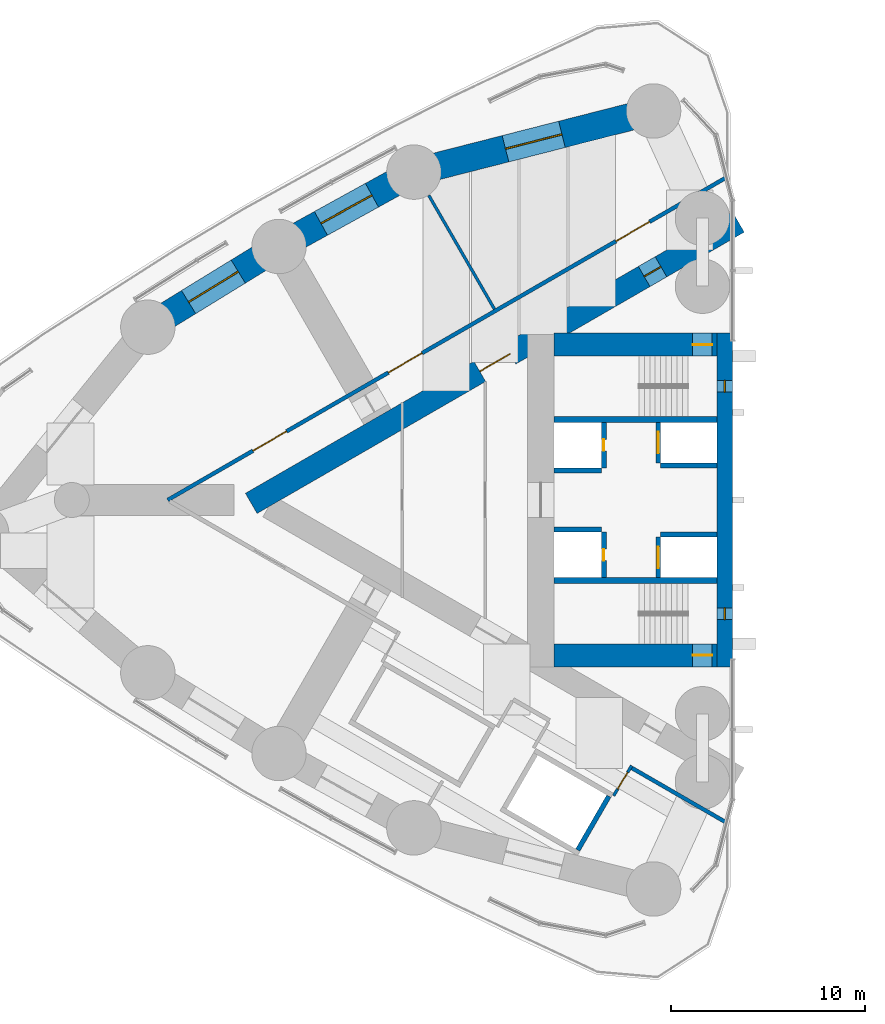
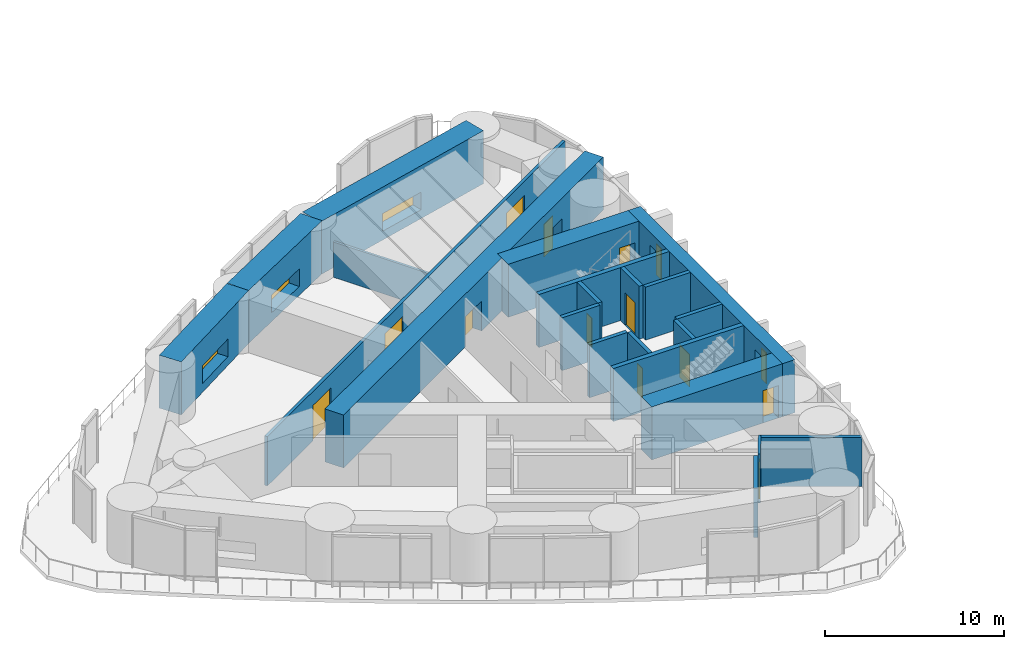
# One storey, part 12 of 17: 22 walls, 12 doors, 5 windows, 17 openings.
"""IFC4 building model written with IfcOpenShell, lengths in metres."""

from ifc_helpers import new_model, si_unit, direction, frame, frame_2d, origin, place, context, subcontext, project, spatial, rectangle, extrude, material, layer, layer_set, type_object, element, fill, save


model = new_model("IFC4")

# Units and contexts
model_context = context("Model", 3, precision=1e-05, world=origin(), true_north=direction((0.0, 1.0)))
body_context = subcontext(model_context, "Body", "Model", "MODEL_VIEW")
ifc_project = project(units=[si_unit("LENGTHUNIT", "METRE"), si_unit("AREAUNIT", "SQUARE_METRE"), si_unit("VOLUMEUNIT", "CUBIC_METRE"), si_unit("PLANEANGLEUNIT", "RADIAN"), si_unit("MASSUNIT", "GRAM", prefix="KILO")], contexts=[model_context])

# Site, building, storey
site_placement = place(None, origin())
site = spatial("IfcSite", under=ifc_project, at=site_placement, CompositionType="ELEMENT")
building_placement = place(site_placement, origin())
building = spatial("IfcBuilding", under=site, at=building_placement, Name="Lancet Gate Hotel", CompositionType="ELEMENT")
storey_placement = place(building_placement, frame((0.0, 0.0, 152.699951171875)))
storey = spatial("IfcBuildingStorey", under=building, at=storey_placement, Name="L40", CompositionType="ELEMENT", Elevation=152.699951171875)

# Wall, opening, window
ifc_material_1 = material(Name="Concrete C80/95", Category="concrete")
ifc_layer_1 = layer(ifc_material_1, 1.39990234375)
ifc_layer_set_1 = layer_set([ifc_layer_1], Name="Belt wall 1400")
wall_type_1 = type_object("IfcWallType", Name="Belt wall 1400", PredefinedType="SHEAR", material=ifc_layer_set_1)
wall_1_placement = place(storey_placement, frame((-31.5654296875, 20.015869140625, 0.0), z_axis=(0.0, 0.0, 1.0), x_axis=(-0.969008414312, -0.247027717052, 0.0)))
wall_1 = element("IfcWall", 1, at=wall_1_placement, inside=storey, type_object=wall_type_1, Name="T1 belt wall CS-OS1 L40", PredefinedType="SHEAR", context=body_context, shape_type="SweptSolid", body=[
    extrude(rectangle(XDim=12.7294921875, YDim=1.39990234375, at=frame_2d((6.36474609375, 0.0))), origin(), (0.0, 0.0, 1.0), 3.60009765625),
])
opening_1_placement = place(wall_1_placement, frame((4.86474609375, 0.0, 0.60009765625)))
opening_1 = element("IfcOpeningElement", 2, at=opening_1_placement, cuts=wall_1, Name="Opening LV1", PredefinedType="OPENING", context=body_context, shape_type="SweptSolid", body=[
    extrude(rectangle(XDim=3.0, YDim=1.199951171875, at=frame_2d((1.5, 0.60009765625))), frame((0.0, 0.7099609375, 0.0), z_axis=(0.0, -1.0, 0.0), x_axis=(1.0, 0.0, 0.0)), (0.0, 0.0, 1.0), 1.419921875),
])
ifc_material_2 = material(Name="Aluminium weather louvre", Category="aluminium")
window_type_1 = type_object("IfcWindowType", Name="Refuge louvre 3000x1200", PartitioningType="SINGLE_PANEL", PredefinedType="WINDOW", material=ifc_material_2)
window_1_placement = place(opening_1_placement, origin())
window_1 = element("IfcWindow", 3, at=window_1_placement, inside=storey, type_object=window_type_1, Name="T1 belt louvre CS-OS1 L40", OverallHeight=1.199951171875, OverallWidth=3.0, PartitioningType="SINGLE_PANEL", PredefinedType="WINDOW", context=body_context, shape_type="SweptSolid", body=[
    extrude(rectangle(XDim=3.0, YDim=1.199951171875, at=frame_2d((1.5, 0.60009765625))), frame((0.0, 0.030029296875, 0.0), z_axis=(0.0, -1.0, 0.0), x_axis=(1.0, 0.0, 0.0)), (0.0, 0.0, 1.0), 0.06005859375),
])
fill(opening_1, window_1)

wall_2_placement = place(storey_placement, frame((-43.900390625, 16.871337890625, 0.0), z_axis=(0.0, 0.0, 1.0), x_axis=(-0.875577684027, -0.483077342911, 0.0)))
wall_2 = element("IfcWall", 4, at=wall_2_placement, inside=storey, type_object=wall_type_1, Name="T1 belt wall OS1-OS2 L40", PredefinedType="SHEAR", context=body_context, shape_type="SweptSolid", body=[
    extrude(rectangle(XDim=7.924560546875, YDim=1.39990234375, at=frame_2d((3.96240234375, 0.0))), origin(), (0.0, 0.0, 1.0), 3.60009765625),
])
opening_2_placement = place(wall_2_placement, frame((2.462158203125, 0.0, 0.60009765625)))
opening_2 = element("IfcOpeningElement", 5, at=opening_2_placement, cuts=wall_2, Name="Opening LV1", PredefinedType="OPENING", context=body_context, shape_type="SweptSolid", body=[
    extrude(rectangle(XDim=3.0, YDim=1.199951171875, at=frame_2d((1.5, 0.60009765625))), frame((0.0, 0.7099609375, 0.0), z_axis=(0.0, -1.0, 0.0), x_axis=(1.0, 0.0, 0.0)), (0.0, 0.0, 1.0), 1.419921875),
])
window_2_placement = place(opening_2_placement, origin())
window_2 = element("IfcWindow", 6, at=window_2_placement, inside=storey, type_object=window_type_1, Name="T1 belt louvre OS1-OS2 L40", OverallHeight=1.199951171875, OverallWidth=3.0, PartitioningType="SINGLE_PANEL", PredefinedType="WINDOW", context=body_context, shape_type="SweptSolid", body=[
    extrude(rectangle(XDim=3.0, YDim=1.199951171875, at=frame_2d((1.5, 0.60009765625))), frame((0.0, 0.030029296875, 0.0), z_axis=(0.0, -1.0, 0.0), x_axis=(1.0, 0.0, 0.0)), (0.0, 0.0, 1.0), 0.06005859375),
])
fill(opening_2, window_2)

wall_3_placement = place(storey_placement, frame((-50.8388671875, 13.043212890625, 0.0), z_axis=(0.0, 0.0, 1.0), x_axis=(-0.851892008043, -0.523717487423, 0.0)))
wall_3 = element("IfcWall", 7, at=wall_3_placement, inside=storey, type_object=wall_type_1, Name="T1 belt wall OS2-OS3 L40", PredefinedType="SHEAR", context=body_context, shape_type="SweptSolid", body=[
    extrude(rectangle(XDim=7.92431640625, YDim=1.39990234375, at=frame_2d((3.962158203125, 0.0))), origin(), (0.0, 0.0, 1.0), 3.60009765625),
])
opening_3_placement = place(wall_3_placement, frame((2.462158203125, 0.0, 0.60009765625)))
opening_3 = element("IfcOpeningElement", 8, at=opening_3_placement, cuts=wall_3, Name="Opening LV1", PredefinedType="OPENING", context=body_context, shape_type="SweptSolid", body=[
    extrude(rectangle(XDim=3.0, YDim=1.199951171875, at=frame_2d((1.5, 0.60009765625))), frame((0.0, 0.7099609375, 0.0), z_axis=(0.0, -1.0, 0.0), x_axis=(1.0, 0.0, 0.0)), (0.0, 0.0, 1.0), 1.419921875),
])
window_3_placement = place(opening_3_placement, origin())
window_3 = element("IfcWindow", 9, at=window_3_placement, inside=storey, type_object=window_type_1, Name="T1 belt louvre OS2-OS3 L40", OverallHeight=1.199951171875, OverallWidth=3.0, PartitioningType="SINGLE_PANEL", PredefinedType="WINDOW", context=body_context, shape_type="SweptSolid", body=[
    extrude(rectangle(XDim=3.0, YDim=1.199951171875, at=frame_2d((1.5, 0.60009765625))), frame((0.0, 0.030029296875, 0.0), z_axis=(0.0, -1.0, 0.0), x_axis=(1.0, 0.0, 0.0)), (0.0, 0.0, 1.0), 0.06005859375),
])
fill(opening_3, window_3)

# Wall, openings, doors
ifc_material_3 = material(Name="Concrete C70/85", Category="concrete")
ifc_layer_2 = layer(ifc_material_3, 1.199951171875)
ifc_layer_set_2 = layer_set([ifc_layer_2], Name="Buttress wall 1200")
wall_type_2 = type_object("IfcWallType", Name="Buttress wall 1200", PredefinedType="SHEAR", material=ifc_layer_set_2)
wall_4_placement = place(storey_placement, frame((-27.199951171875, 14.300048828125, 0.0), z_axis=(0.0, 0.0, 1.0), x_axis=(-0.866026593062, -0.499997940104, 0.0)))
wall_4 = element("IfcWall", 10, at=wall_4_placement, inside=storey, type_object=wall_type_2, Name="T1 buttress wall S L40", PredefinedType="SHEAR", context=body_context, shape_type="SweptSolid", body=[
    extrude(rectangle(XDim=28.9462890625, YDim=1.199951171875, at=frame_2d((14.47314453125, 0.0))), origin(), (0.0, 0.0, 1.0), 3.60009765625),
])
opening_4_placement = place(wall_4_placement, frame((4.60009765625, 0.0, 0.0)))
opening_4 = element("IfcOpeningElement", 11, at=opening_4_placement, cuts=wall_4, Name="Opening T1-L40-LS", PredefinedType="OPENING", context=body_context, shape_type="SweptSolid", body=[
    extrude(rectangle(XDim=1.0, YDim=2.199951171875, at=frame_2d((0.5, 1.10009765625))), frame((0.0, 0.60986328125, 0.0), z_axis=(0.0, -1.0, 0.0), x_axis=(1.0, 0.0, 0.0)), (0.0, 0.0, 1.0), 1.219970703125),
])
opening_5_placement = place(wall_4_placement, frame((13.567626953125, 0.0, 0.0)))
opening_5 = element("IfcOpeningElement", 12, at=opening_5_placement, cuts=wall_4, Name="Opening T1-L40-LHS", PredefinedType="OPENING", context=body_context, shape_type="SweptSolid", body=[
    extrude(rectangle(XDim=1.800048828125, YDim=2.0400390625, at=frame_2d((0.89990234375, 1.02001953125))), frame((0.0, 0.60986328125, 0.0), z_axis=(0.0, -1.0, 0.0), x_axis=(1.0, 0.0, 0.0)), (0.0, 0.0, 1.0), 1.219970703125),
])
ifc_material_4 = material(Name="Timber door set", Category="wood")
door_type_1 = type_object("IfcDoorType", Name="Lobby double door 1800, 2040 high", OperationType="DOUBLE_DOOR_SINGLE_SWING", PredefinedType="DOOR", material=ifc_material_4)
door_1_placement = place(opening_5_placement, origin())
door_1 = element("IfcDoor", 13, at=door_1_placement, inside=storey, type_object=door_type_1, Name="T1-L40-LHS", OperationType="DOUBLE_DOOR_SINGLE_SWING", OverallHeight=2.0400390625, OverallWidth=1.800048828125, PredefinedType="DOOR", context=body_context, shape_type="SweptSolid", body=[
    extrude(rectangle(XDim=1.800048828125, YDim=2.0400390625, at=frame_2d((0.89990234375, 1.02001953125))), frame((0.0, 0.02490234375, 0.0), z_axis=(0.0, -1.0, 0.0), x_axis=(1.0, 0.0, 0.0)), (0.0, 0.0, 1.0), 0.050048828125),
])
fill(opening_5, door_1)
ifc_material_5 = material(Name="Timber door set", Category="wood")
door_type_2 = type_object("IfcDoorType", Name="Stair lobby door 1000", OperationType="SINGLE_SWING_LEFT", PredefinedType="DOOR", material=ifc_material_5)
door_2_placement = place(opening_4_placement, origin())
door_2 = element("IfcDoor", 14, at=door_2_placement, inside=storey, type_object=door_type_2, Name="T1-L40-LS", OperationType="SINGLE_SWING_LEFT", OverallHeight=2.199951171875, OverallWidth=1.0, PredefinedType="DOOR", context=body_context, shape_type="SweptSolid", body=[
    extrude(rectangle(XDim=1.0, YDim=2.199951171875, at=frame_2d((0.5, 1.10009765625))), frame((0.0, 0.02490234375, 0.0), z_axis=(0.0, -1.0, 0.0), x_axis=(1.0, 0.0, 0.0)), (0.0, 0.0, 1.0), 0.050048828125),
])
fill(opening_4, door_2)

# Wall, opening, door
ifc_material_6 = material(Name="Concrete C70/85", Category="concrete")
ifc_layer_3 = layer(ifc_material_6, 1.199951171875)
ifc_layer_set_3 = layer_set([ifc_layer_3], Name="Core wall 1200")
wall_type_3 = type_object("IfcWallType", Name="Core wall 1200", PredefinedType="SHEAR", material=ifc_layer_set_3)
wall_5_placement = place(storey_placement, frame((-28.300048828125, 8.0, 0.0), z_axis=(0.0, 0.0, 1.0), x_axis=(-1.0, 0.0, 0.0)))
wall_5 = element("IfcWall", 15, at=wall_5_placement, inside=storey, type_object=wall_type_3, Name="T1 core wall side-S L40", PredefinedType="SHEAR", context=body_context, shape_type="SweptSolid", body=[
    extrude(rectangle(XDim=8.39990234375, YDim=1.199951171875, at=frame_2d((4.199951171875, 0.0))), origin(), (0.0, 0.0, 1.0), 3.60009765625),
])
opening_6_placement = place(wall_5_placement, frame((0.25, 0.0, 0.0)))
opening_6 = element("IfcOpeningElement", 16, at=opening_6_placement, cuts=wall_5, Name="Opening T1-L40-ST1", PredefinedType="OPENING", context=body_context, shape_type="SweptSolid", body=[
    extrude(rectangle(XDim=1.0, YDim=2.199951171875, at=frame_2d((0.5, 1.10009765625))), frame((0.0, 0.60986328125, 0.0), z_axis=(0.0, -1.0, 0.0), x_axis=(1.0, 0.0, 0.0)), (0.0, 0.0, 1.0), 1.219970703125),
])
ifc_material_7 = material(Name="Timber door set", Category="wood")
door_type_3 = type_object("IfcDoorType", Name="Stair door 1000", OperationType="SINGLE_SWING_RIGHT", PredefinedType="DOOR", material=ifc_material_7)
door_3_placement = place(opening_6_placement, origin())
door_3 = element("IfcDoor", 17, at=door_3_placement, inside=storey, type_object=door_type_3, Name="T1-L40-ST1", OperationType="SINGLE_SWING_RIGHT", OverallHeight=2.199951171875, OverallWidth=1.0, PredefinedType="DOOR", context=body_context, shape_type="SweptSolid", body=[
    extrude(rectangle(XDim=1.0, YDim=2.199951171875, at=frame_2d((0.5, 1.10009765625))), frame((0.0, 0.02490234375, 0.0), z_axis=(0.0, -1.0, 0.0), x_axis=(1.0, 0.0, 0.0)), (0.0, 0.0, 1.0), 0.050048828125),
])
fill(opening_6, door_3)

wall_6_placement = place(storey_placement, frame((-28.300048828125, -8.0, 0.0), z_axis=(0.0, 0.0, 1.0), x_axis=(-1.0, 0.0, 0.0)))
wall_6 = element("IfcWall", 18, at=wall_6_placement, inside=storey, type_object=wall_type_3, Name="T1 core wall side-N L40", PredefinedType="SHEAR", context=body_context, shape_type="SweptSolid", body=[
    extrude(rectangle(XDim=8.39990234375, YDim=1.199951171875, at=frame_2d((4.199951171875, 0.0))), origin(), (0.0, 0.0, 1.0), 3.60009765625),
])
opening_7_placement = place(wall_6_placement, frame((0.25, 0.0, 0.0)))
opening_7 = element("IfcOpeningElement", 19, at=opening_7_placement, cuts=wall_6, Name="Opening T1-L40-ST2", PredefinedType="OPENING", context=body_context, shape_type="SweptSolid", body=[
    extrude(rectangle(XDim=1.0, YDim=2.199951171875, at=frame_2d((0.5, 1.10009765625))), frame((0.0, 0.60986328125, 0.0), z_axis=(0.0, -1.0, 0.0), x_axis=(1.0, 0.0, 0.0)), (0.0, 0.0, 1.0), 1.219970703125),
])
door_4_placement = place(opening_7_placement, origin())
door_4 = element("IfcDoor", 20, at=door_4_placement, inside=storey, type_object=door_type_3, Name="T1-L40-ST2", OperationType="SINGLE_SWING_RIGHT", OverallHeight=2.199951171875, OverallWidth=1.0, PredefinedType="DOOR", context=body_context, shape_type="SweptSolid", body=[
    extrude(rectangle(XDim=1.0, YDim=2.199951171875, at=frame_2d((0.5, 1.10009765625))), frame((0.0, 0.02490234375, 0.0), z_axis=(0.0, -1.0, 0.0), x_axis=(1.0, 0.0, 0.0)), (0.0, 0.0, 1.0), 0.050048828125),
])
fill(opening_7, door_4)

# Wall, openings, windows
ifc_material_8 = material(Name="Concrete C70/85", Category="concrete")
ifc_layer_4 = layer(ifc_material_8, 0.800048828125)
ifc_layer_set_4 = layer_set([ifc_layer_4], Name="Core wall 800")
wall_type_4 = type_object("IfcWallType", Name="Core wall 800", PredefinedType="SHEAR", material=ifc_layer_set_4)
wall_7_placement = place(storey_placement, frame((-27.89990234375, 8.60009765625, 0.0), z_axis=(0.0, 0.0, 1.0), x_axis=(0.0, -1.0, 0.0)))
wall_7 = element("IfcWall", 21, at=wall_7_placement, inside=storey, type_object=wall_type_4, Name="T1 core wall front L40", PredefinedType="SHEAR", context=body_context, shape_type="SweptSolid", body=[
    extrude(rectangle(XDim=17.2001953125, YDim=0.800048828125, at=frame_2d((8.60009765625, 0.0))), origin(), (0.0, 0.0, 1.0), 3.60009765625),
])
opening_8_placement = place(wall_7_placement, frame((2.449951171875, 0.0, 0.60009765625)))
opening_8 = element("IfcOpeningElement", 22, at=opening_8_placement, cuts=wall_7, Name="Opening LW1", PredefinedType="OPENING", context=body_context, shape_type="SweptSolid", body=[
    extrude(rectangle(XDim=0.60009765625, YDim=2.10009765625, at=frame_2d((0.300048828125, 1.050048828125))), frame((0.0, 0.409912109375, 0.0), z_axis=(0.0, -1.0, 0.0), x_axis=(1.0, 0.0, 0.0)), (0.0, 0.0, 1.0), 0.820068359375),
])
opening_9_placement = place(wall_7_placement, frame((14.14990234375, 0.0, 0.60009765625)))
opening_9 = element("IfcOpeningElement", 23, at=opening_9_placement, cuts=wall_7, Name="Opening LW1", PredefinedType="OPENING", context=body_context, shape_type="SweptSolid", body=[
    extrude(rectangle(XDim=0.60009765625, YDim=2.10009765625, at=frame_2d((0.300048828125, 1.050048828125))), frame((0.0, 0.409912109375, 0.0), z_axis=(0.0, -1.0, 0.0), x_axis=(1.0, 0.0, 0.0)), (0.0, 0.0, 1.0), 0.820068359375),
])
ifc_material_9 = material(Name="Fire-resisting glazed steel window", Category="steel")
window_type_2 = type_object("IfcWindowType", Name="Lancet window 600x2100", PartitioningType="SINGLE_PANEL", PredefinedType="WINDOW", material=ifc_material_9)
window_4_placement = place(opening_8_placement, origin())
window_4 = element("IfcWindow", 24, at=window_4_placement, inside=storey, type_object=window_type_2, Name="T1 stair window S L40", OverallHeight=2.10009765625, OverallWidth=0.60009765625, PartitioningType="SINGLE_PANEL", PredefinedType="WINDOW", context=body_context, shape_type="SweptSolid", body=[
    extrude(rectangle(XDim=0.60009765625, YDim=2.10009765625, at=frame_2d((0.300048828125, 1.050048828125))), frame((0.0, 0.030029296875, 0.0), z_axis=(0.0, -1.0, 0.0), x_axis=(1.0, 0.0, 0.0)), (0.0, 0.0, 1.0), 0.06005859375),
])
fill(opening_8, window_4)
window_5_placement = place(opening_9_placement, origin())
window_5 = element("IfcWindow", 25, at=window_5_placement, inside=storey, type_object=window_type_2, Name="T1 stair window N L40", OverallHeight=2.10009765625, OverallWidth=0.60009765625, PartitioningType="SINGLE_PANEL", PredefinedType="WINDOW", context=body_context, shape_type="SweptSolid", body=[
    extrude(rectangle(XDim=0.60009765625, YDim=2.10009765625, at=frame_2d((0.300048828125, 1.050048828125))), frame((0.0, 0.030029296875, 0.0), z_axis=(0.0, -1.0, 0.0), x_axis=(1.0, 0.0, 0.0)), (0.0, 0.0, 1.0), 0.06005859375),
])
fill(opening_9, window_5)

# Wall, openings, doors
ifc_material_10 = material(Name="Gypsum board partition")
ifc_layer_5 = layer(ifc_material_10, 0.199951171875)
ifc_layer_set_5 = layer_set([ifc_layer_5], Name="Corridor wall 200")
wall_type_5 = type_object("IfcWallType", Name="Corridor wall 200", PredefinedType="PARTITIONING", material=ifc_layer_set_5)
wall_8_placement = place(storey_placement, frame((-27.802978515625, 16.607666015625, 0.0), z_axis=(0.0, 0.0, 1.0), x_axis=(-0.866025851808, -0.499999223999, 0.0)))
wall_8 = element("IfcWall", 26, at=wall_8_placement, inside=storey, type_object=wall_type_5, Name="T1 corridor wall 200 L40", PredefinedType="PARTITIONING", context=body_context, shape_type="SweptSolid", body=[
    extrude(rectangle(XDim=33.21533203125, YDim=0.199951171875, at=frame_2d((16.607666015625, 0.0))), origin(), (0.0, 0.0, 1.0), 3.35009765625),
])
opening_10_placement = place(wall_8_placement, frame((4.583984375, 0.0, 0.0)))
opening_10 = element("IfcOpeningElement", 27, at=opening_10_placement, cuts=wall_8, Name="Opening T1-L40-RD01", PredefinedType="OPENING", context=body_context, shape_type="SweptSolid", body=[
    extrude(rectangle(XDim=2.0, YDim=2.39990234375, at=frame_2d((1.0, 1.199951171875))), frame((0.0, 0.10986328125, 0.0), z_axis=(0.0, -1.0, 0.0), x_axis=(1.0, 0.0, 0.0)), (0.0, 0.0, 1.0), 0.219970703125),
])
opening_11_placement = place(wall_8_placement, frame((18.10009765625, 0.0, 0.0)))
opening_11 = element("IfcOpeningElement", 28, at=opening_11_placement, cuts=wall_8, Name="Opening T1-L40-RD02", PredefinedType="OPENING", context=body_context, shape_type="SweptSolid", body=[
    extrude(rectangle(XDim=2.0, YDim=2.39990234375, at=frame_2d((1.0, 1.199951171875))), frame((0.0, 0.10986328125, 0.0), z_axis=(0.0, -1.0, 0.0), x_axis=(1.0, 0.0, 0.0)), (0.0, 0.0, 1.0), 0.219970703125),
])
opening_12_placement = place(wall_8_placement, frame((26.1474609375, 0.0, 0.0)))
opening_12 = element("IfcOpeningElement", 29, at=opening_12_placement, cuts=wall_8, Name="Opening T1-L40-RD03", PredefinedType="OPENING", context=body_context, shape_type="SweptSolid", body=[
    extrude(rectangle(XDim=2.0, YDim=2.39990234375, at=frame_2d((1.0, 1.199951171875))), frame((0.0, 0.10986328125, 0.0), z_axis=(0.0, -1.0, 0.0), x_axis=(1.0, 0.0, 0.0)), (0.0, 0.0, 1.0), 0.219970703125),
])
ifc_material_11 = material(Name="Timber door set", Category="wood")
door_type_4 = type_object("IfcDoorType", Name="Plant room double door 2000", OperationType="DOUBLE_DOOR_SINGLE_SWING", PredefinedType="DOOR", material=ifc_material_11)
door_5_placement = place(opening_10_placement, origin())
door_5 = element("IfcDoor", 30, at=door_5_placement, inside=storey, type_object=door_type_4, Name="T1-L40-RD01", OperationType="DOUBLE_DOOR_SINGLE_SWING", OverallHeight=2.39990234375, OverallWidth=2.0, PredefinedType="DOOR", context=body_context, shape_type="SweptSolid", body=[
    extrude(rectangle(XDim=2.0, YDim=2.39990234375, at=frame_2d((1.0, 1.199951171875))), frame((0.0, 0.02490234375, 0.0), z_axis=(0.0, -1.0, 0.0), x_axis=(1.0, 0.0, 0.0)), (0.0, 0.0, 1.0), 0.050048828125),
])
fill(opening_10, door_5)
door_6_placement = place(opening_11_placement, origin())
door_6 = element("IfcDoor", 31, at=door_6_placement, inside=storey, type_object=door_type_4, Name="T1-L40-RD02", OperationType="DOUBLE_DOOR_SINGLE_SWING", OverallHeight=2.39990234375, OverallWidth=2.0, PredefinedType="DOOR", context=body_context, shape_type="SweptSolid", body=[
    extrude(rectangle(XDim=2.0, YDim=2.39990234375, at=frame_2d((1.0, 1.199951171875))), frame((0.0, 0.02490234375, 0.0), z_axis=(0.0, -1.0, 0.0), x_axis=(1.0, 0.0, 0.0)), (0.0, 0.0, 1.0), 0.050048828125),
])
fill(opening_11, door_6)
door_7_placement = place(opening_12_placement, origin())
door_7 = element("IfcDoor", 32, at=door_7_placement, inside=storey, type_object=door_type_4, Name="T1-L40-RD03", OperationType="DOUBLE_DOOR_SINGLE_SWING", OverallHeight=2.39990234375, OverallWidth=2.0, PredefinedType="DOOR", context=body_context, shape_type="SweptSolid", body=[
    extrude(rectangle(XDim=2.0, YDim=2.39990234375, at=frame_2d((1.0, 1.199951171875))), frame((0.0, 0.02490234375, 0.0), z_axis=(0.0, -1.0, 0.0), x_axis=(1.0, 0.0, 0.0)), (0.0, 0.0, 1.0), 0.050048828125),
])
fill(opening_12, door_7)

# Walls
wall_9_placement = place(storey_placement, frame((-27.802978515625, -16.607666015625, 0.0), z_axis=(0.0, 0.0, 1.0), x_axis=(-0.866021198669, 0.500007283403, 0.0)))
element("IfcWall", 33, at=wall_9_placement, inside=storey, type_object=wall_type_5, Name="T1 corridor wall 200 L40", PredefinedType="PARTITIONING", context=body_context, shape_type="SweptSolid", body=[
    extrude(rectangle(XDim=5.6884765625, YDim=0.199951171875, at=frame_2d((2.84423828125, 0.0))), origin(), (0.0, 0.0, 1.0), 3.35009765625),
])
ifc_material_12 = material(Name="Gypsum board partition")
ifc_layer_6 = layer(ifc_material_12, 0.25)
ifc_layer_set_6 = layer_set([ifc_layer_6], Name="Lift shaft partition 250")
wall_type_6 = type_object("IfcWallType", Name="Lift shaft partition 250", PredefinedType="PARTITIONING", material=ifc_layer_set_6)
wall_10_placement = place(storey_placement, frame((-33.8662109375, -15.242919921875, 0.0), z_axis=(0.0, 0.0, 1.0), x_axis=(-0.499929347863, -0.866066190972, 0.0)))
element("IfcWall", 34, at=wall_10_placement, inside=storey, type_object=wall_type_6, Name="T1 lift shaft wall EX L40", PredefinedType="PARTITIONING", context=body_context, shape_type="SweptSolid", body=[
    extrude(rectangle(XDim=3.20068359375, YDim=0.25, at=frame_2d((1.600341796875, 0.0))), origin(), (0.0, 0.0, 1.0), 3.35009765625),
])

# Wall, opening, door
ifc_material_13 = material(Name="Concrete C50/60", Category="concrete")
ifc_layer_7 = layer(ifc_material_13, 0.25)
ifc_layer_set_7 = layer_set([ifc_layer_7], Name="Lift shaft wall 250")
wall_type_7 = type_object("IfcWallType", Name="Lift shaft wall 250", PredefinedType="SHEAR", material=ifc_layer_set_7)
wall_11_placement = place(storey_placement, frame((-31.324951171875, 4.0, 0.0), z_axis=(0.0, 0.0, 1.0), x_axis=(0.0, -1.0, 0.0)))
wall_11 = element("IfcWall", 35, at=wall_11_placement, inside=storey, type_object=wall_type_7, Name="T1 core wall row1-S L40", PredefinedType="SHEAR", context=body_context, shape_type="SweptSolid", body=[
    extrude(rectangle(XDim=2.10009765625, YDim=0.25, at=frame_2d((1.050048828125, 0.0))), origin(), (0.0, 0.0, 1.0), 3.60009765625),
])
opening_13_placement = place(wall_11_placement, frame((0.5, 0.0, 0.0)))
opening_13 = element("IfcOpeningElement", 36, at=opening_13_placement, cuts=wall_11, Name="Opening T1-SL1-L40", PredefinedType="OPENING", context=body_context, shape_type="SweptSolid", body=[
    extrude(rectangle(XDim=1.10009765625, YDim=2.199951171875, at=frame_2d((0.550048828125, 1.10009765625))), frame((0.0, 0.135009765625, 0.0), z_axis=(0.0, -1.0, 0.0), x_axis=(1.0, 0.0, 0.0)), (0.0, 0.0, 1.0), 0.27001953125),
])
ifc_material_14 = material(Name="Timber door set", Category="wood")
door_type_5 = type_object("IfcDoorType", Name="Service lift landing door 1100", OperationType="SLIDING_TO_LEFT", PredefinedType="USERDEFINED", material=ifc_material_14)
door_8_placement = place(opening_13_placement, origin())
door_8 = element("IfcDoor", 37, at=door_8_placement, inside=storey, type_object=door_type_5, Name="T1-SL1-L40", ObjectType="LIFT LANDING DOOR", OperationType="SLIDING_TO_LEFT", OverallHeight=2.199951171875, OverallWidth=1.10009765625, PredefinedType="USERDEFINED", context=body_context, shape_type="SweptSolid", body=[
    extrude(rectangle(XDim=1.10009765625, YDim=2.199951171875, at=frame_2d((0.550048828125, 1.10009765625))), frame((0.0, 0.02490234375, 0.0), z_axis=(0.0, -1.0, 0.0), x_axis=(1.0, 0.0, 0.0)), (0.0, 0.0, 1.0), 0.050048828125),
])
fill(opening_13, door_8)

wall_12_placement = place(storey_placement, frame((-34.125, 4.0, 0.0), z_axis=(0.0, 0.0, 1.0), x_axis=(0.0, -1.0, 0.0)))
wall_12 = element("IfcWall", 38, at=wall_12_placement, inside=storey, type_object=wall_type_7, Name="T1 core wall row2-S L40", PredefinedType="SHEAR", context=body_context, shape_type="SweptSolid", body=[
    extrude(rectangle(XDim=2.35009765625, YDim=0.25, at=frame_2d((1.175048828125, 0.0))), origin(), (0.0, 0.0, 1.0), 3.60009765625),
])
opening_14_placement = place(wall_12_placement, frame((0.875, 0.0, 0.0)))
opening_14 = element("IfcOpeningElement", 39, at=opening_14_placement, cuts=wall_12, Name="Opening T1-OL3-L40-E", PredefinedType="OPENING", context=body_context, shape_type="SweptSolid", body=[
    extrude(rectangle(XDim=0.60009765625, YDim=2.0, at=frame_2d((0.300048828125, 1.0))), frame((0.0, 0.135009765625, 0.0), z_axis=(0.0, -1.0, 0.0), x_axis=(1.0, 0.0, 0.0)), (0.0, 0.0, 1.0), 0.27001953125),
])
ifc_material_15 = material(Name="Steel door set", Category="steel")
door_type_6 = type_object("IfcDoorType", Name="Lift shaft emergency door 600x2000", OperationType="SLIDING_TO_LEFT", PredefinedType="DOOR", material=ifc_material_15)
door_9_placement = place(opening_14_placement, origin())
door_9 = element("IfcDoor", 40, at=door_9_placement, inside=storey, type_object=door_type_6, Name="T1-OL3-L40-E", OperationType="SLIDING_TO_LEFT", OverallHeight=2.0, OverallWidth=0.60009765625, PredefinedType="DOOR", context=body_context, shape_type="SweptSolid", body=[
    extrude(rectangle(XDim=0.60009765625, YDim=2.0, at=frame_2d((0.300048828125, 1.0))), frame((0.0, 0.02490234375, 0.0), z_axis=(0.0, -1.0, 0.0), x_axis=(1.0, 0.0, 0.0)), (0.0, 0.0, 1.0), 0.050048828125),
])
fill(opening_14, door_9)

# Walls
wall_13_placement = place(storey_placement, frame((-28.300048828125, 1.77490234375, 0.0), z_axis=(0.0, 0.0, 1.0), x_axis=(-1.0, 0.0, 0.0)))
element("IfcWall", 41, at=wall_13_placement, inside=storey, type_object=wall_type_7, Name="T1 core wall pass1-S L40", PredefinedType="SHEAR", context=body_context, shape_type="SweptSolid", body=[
    extrude(rectangle(XDim=2.89990234375, YDim=0.25, at=frame_2d((1.449951171875, 0.0))), origin(), (0.0, 0.0, 1.0), 3.60009765625),
])
wall_14_placement = place(storey_placement, frame((-34.25, 1.52490234375, 0.0), z_axis=(0.0, 0.0, 1.0), x_axis=(-1.0, 0.0, 0.0)))
element("IfcWall", 42, at=wall_14_placement, inside=storey, type_object=wall_type_7, Name="T1 core wall pass2-S L40", PredefinedType="SHEAR", context=body_context, shape_type="SweptSolid", body=[
    extrude(rectangle(XDim=2.449951171875, YDim=0.25, at=frame_2d((1.22509765625, 0.0))), origin(), (0.0, 0.0, 1.0), 3.60009765625),
])

# Wall, opening, door
wall_15_placement = place(storey_placement, frame((-31.324951171875, -1.89990234375, 0.0), z_axis=(0.0, 0.0, 1.0), x_axis=(0.0, -1.0, 0.0)))
wall_15 = element("IfcWall", 43, at=wall_15_placement, inside=storey, type_object=wall_type_7, Name="T1 core wall row1-N L40", PredefinedType="SHEAR", context=body_context, shape_type="SweptSolid", body=[
    extrude(rectangle(XDim=2.10009765625, YDim=0.25, at=frame_2d((1.050048828125, 0.0))), origin(), (0.0, 0.0, 1.0), 3.60009765625),
])
opening_15_placement = place(wall_15_placement, frame((0.5, 0.0, 0.0)))
opening_15 = element("IfcOpeningElement", 44, at=opening_15_placement, cuts=wall_15, Name="Opening T1-FL2-L40", PredefinedType="OPENING", context=body_context, shape_type="SweptSolid", body=[
    extrude(rectangle(XDim=1.10009765625, YDim=2.199951171875, at=frame_2d((0.550048828125, 1.10009765625))), frame((0.0, 0.135009765625, 0.0), z_axis=(0.0, -1.0, 0.0), x_axis=(1.0, 0.0, 0.0)), (0.0, 0.0, 1.0), 0.27001953125),
])
ifc_material_16 = material(Name="Steel door set", Category="steel")
door_type_7 = type_object("IfcDoorType", Name="Firefighting lift landing door 1100", OperationType="SLIDING_TO_LEFT", PredefinedType="USERDEFINED", material=ifc_material_16)
door_10_placement = place(opening_15_placement, origin())
door_10 = element("IfcDoor", 45, at=door_10_placement, inside=storey, type_object=door_type_7, Name="T1-FL2-L40", ObjectType="LIFT LANDING DOOR", OperationType="SLIDING_TO_LEFT", OverallHeight=2.199951171875, OverallWidth=1.10009765625, PredefinedType="USERDEFINED", context=body_context, shape_type="SweptSolid", body=[
    extrude(rectangle(XDim=1.10009765625, YDim=2.199951171875, at=frame_2d((0.550048828125, 1.10009765625))), frame((0.0, 0.02490234375, 0.0), z_axis=(0.0, -1.0, 0.0), x_axis=(1.0, 0.0, 0.0)), (0.0, 0.0, 1.0), 0.050048828125),
])
fill(opening_15, door_10)

wall_16_placement = place(storey_placement, frame((-34.125, -1.64990234375, 0.0), z_axis=(0.0, 0.0, 1.0), x_axis=(0.0, -1.0, 0.0)))
wall_16 = element("IfcWall", 46, at=wall_16_placement, inside=storey, type_object=wall_type_7, Name="T1 core wall row2-N L40", PredefinedType="SHEAR", context=body_context, shape_type="SweptSolid", body=[
    extrude(rectangle(XDim=2.35009765625, YDim=0.25, at=frame_2d((1.175048828125, 0.0))), origin(), (0.0, 0.0, 1.0), 3.60009765625),
])
opening_16_placement = place(wall_16_placement, frame((0.875, 0.0, 0.0)))
opening_16 = element("IfcOpeningElement", 47, at=opening_16_placement, cuts=wall_16, Name="Opening T1-OL4-L40-E", PredefinedType="OPENING", context=body_context, shape_type="SweptSolid", body=[
    extrude(rectangle(XDim=0.60009765625, YDim=2.0, at=frame_2d((0.300048828125, 1.0))), frame((0.0, 0.135009765625, 0.0), z_axis=(0.0, -1.0, 0.0), x_axis=(1.0, 0.0, 0.0)), (0.0, 0.0, 1.0), 0.27001953125),
])
door_11_placement = place(opening_16_placement, origin())
door_11 = element("IfcDoor", 48, at=door_11_placement, inside=storey, type_object=door_type_6, Name="T1-OL4-L40-E", OperationType="SLIDING_TO_LEFT", OverallHeight=2.0, OverallWidth=0.60009765625, PredefinedType="DOOR", context=body_context, shape_type="SweptSolid", body=[
    extrude(rectangle(XDim=0.60009765625, YDim=2.0, at=frame_2d((0.300048828125, 1.0))), frame((0.0, 0.02490234375, 0.0), z_axis=(0.0, -1.0, 0.0), x_axis=(1.0, 0.0, 0.0)), (0.0, 0.0, 1.0), 0.050048828125),
])
fill(opening_16, door_11)

# Walls
wall_17_placement = place(storey_placement, frame((-28.300048828125, -1.77490234375, 0.0), z_axis=(0.0, 0.0, 1.0), x_axis=(-1.0, 0.0, 0.0)))
element("IfcWall", 49, at=wall_17_placement, inside=storey, type_object=wall_type_7, Name="T1 core wall pass1-N L40", PredefinedType="SHEAR", context=body_context, shape_type="SweptSolid", body=[
    extrude(rectangle(XDim=2.89990234375, YDim=0.25, at=frame_2d((1.449951171875, 0.0))), origin(), (0.0, 0.0, 1.0), 3.60009765625),
])
wall_18_placement = place(storey_placement, frame((-34.25, -1.52490234375, 0.0), z_axis=(0.0, 0.0, 1.0), x_axis=(-1.0, 0.0, 0.0)))
element("IfcWall", 50, at=wall_18_placement, inside=storey, type_object=wall_type_7, Name="T1 core wall pass2-N L40", PredefinedType="SHEAR", context=body_context, shape_type="SweptSolid", body=[
    extrude(rectangle(XDim=2.449951171875, YDim=0.25, at=frame_2d((1.22509765625, 0.0))), origin(), (0.0, 0.0, 1.0), 3.60009765625),
])
ifc_material_17 = material(Name="Gypsum board partition")
ifc_layer_8 = layer(ifc_material_17, 0.14990234375)
ifc_layer_set_8 = layer_set([ifc_layer_8], Name="Party wall 150")
wall_type_8 = type_object("IfcWallType", Name="Party wall 150", PredefinedType="PARTITIONING", material=ifc_layer_set_8)
wall_19_placement = place(storey_placement, frame((-39.75439453125, 9.822998046875, 0.0), z_axis=(0.0, 0.0, 1.0), x_axis=(-0.499997670926, 0.866026748472, 0.0)))
element("IfcWall", 51, at=wall_19_placement, inside=storey, type_object=wall_type_8, Name="T1 party wall 150 L40", PredefinedType="PARTITIONING", context=body_context, shape_type="SweptSolid", body=[
    extrude(rectangle(XDim=6.75732421875, YDim=0.14990234375, at=frame_2d((3.378662109375, 0.0))), origin(), (0.0, 0.0, 1.0), 2.400146484375),
])

# Wall, opening, door
ifc_material_18 = material(Name="Gypsum board partition")
ifc_layer_9 = layer(ifc_material_18, 0.14990234375)
ifc_layer_set_9 = layer_set([ifc_layer_9], Name="Service room wall 150")
wall_type_9 = type_object("IfcWallType", Name="Service room wall 150", PredefinedType="PARTITIONING", material=ifc_layer_set_9)
wall_20_placement = place(storey_placement, frame((-33.62060546875, -15.217529296875, 0.0), z_axis=(0.0, 0.0, 1.0), x_axis=(0.514336634837, 0.857588377991, 0.0)))
wall_20 = element("IfcWall", 52, at=wall_20_placement, inside=storey, type_object=wall_type_9, Name="T1 service room wall 150 L40", PredefinedType="PARTITIONING", context=body_context, shape_type="SweptSolid", body=[
    extrude(rectangle(XDim=1.80517578125, YDim=0.14990234375, at=frame_2d((0.902587890625, 0.0))), origin(), (0.0, 0.0, 1.0), 3.35009765625),
])
opening_17_placement = place(wall_20_placement, frame((0.402587890625, 0.0, 0.0)))
opening_17 = element("IfcOpeningElement", 53, at=opening_17_placement, cuts=wall_20, Name="Opening T1-L40-RD08", PredefinedType="OPENING", context=body_context, shape_type="SweptSolid", body=[
    extrude(rectangle(XDim=1.0, YDim=2.0400390625, at=frame_2d((0.5, 1.02001953125))), frame((0.0, 0.0849609375, 0.0), z_axis=(0.0, -1.0, 0.0), x_axis=(1.0, 0.0, 0.0)), (0.0, 0.0, 1.0), 0.169921875),
])
ifc_material_19 = material(Name="Timber door set", Category="wood")
door_type_8 = type_object("IfcDoorType", Name="Service door 1000, 2040 high", OperationType="SINGLE_SWING_LEFT", PredefinedType="DOOR", material=ifc_material_19)
door_12_placement = place(opening_17_placement, origin())
door_12 = element("IfcDoor", 54, at=door_12_placement, inside=storey, type_object=door_type_8, Name="T1-L40-RD08", OperationType="SINGLE_SWING_LEFT", OverallHeight=2.0400390625, OverallWidth=1.0, PredefinedType="DOOR", context=body_context, shape_type="SweptSolid", body=[
    extrude(rectangle(XDim=1.0, YDim=2.0400390625, at=frame_2d((0.5, 1.02001953125))), frame((0.0, 0.02490234375, 0.0), z_axis=(0.0, -1.0, 0.0), x_axis=(1.0, 0.0, 0.0)), (0.0, 0.0, 1.0), 0.050048828125),
])
fill(opening_17, door_12)

# Walls
ifc_material_20 = material(Name="Concrete C50/60", Category="concrete")
ifc_layer_10 = layer(ifc_material_20, 0.300048828125)
ifc_layer_set_10 = layer_set([ifc_layer_10], Name="Stair enclosure wall 300")
wall_type_10 = type_object("IfcWallType", Name="Stair enclosure wall 300", PredefinedType="SHEAR", material=ifc_layer_set_10)
for number, where, z_axis, x_axis, name in (
    (55, (-28.300048828125, 4.14990234375, 0.0), (0.0, 0.0, 1.0), (-1.0, 0.0, 0.0), "T1 core wall stair-S L40"),
    (56, (-28.300048828125, -4.14990234375, 0.0), (0.0, 0.0, 1.0), (-1.0, 0.0, 0.0), "T1 core wall stair-N L40"),
):
    element("IfcWall", number, at=place(storey_placement, frame(where, z_axis=z_axis, x_axis=x_axis)), inside=storey, type_object=wall_type_10, Name=name, PredefinedType="SHEAR", context=body_context, shape_type="SweptSolid", body=[
        extrude(rectangle(XDim=8.39990234375, YDim=0.300048828125, at=frame_2d((4.199951171875, 0.0))), origin(), (0.0, 0.0, 1.0), 3.60009765625),
    ])

save(model, "model.ifc")
